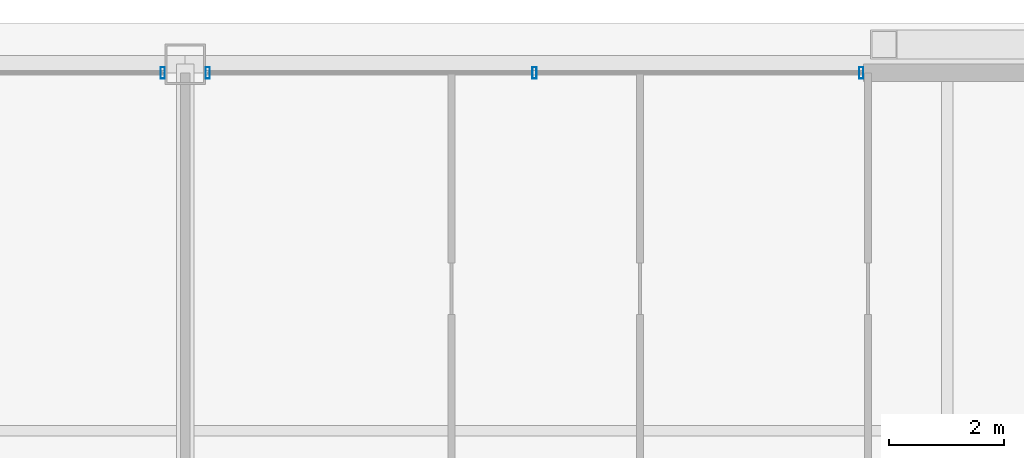
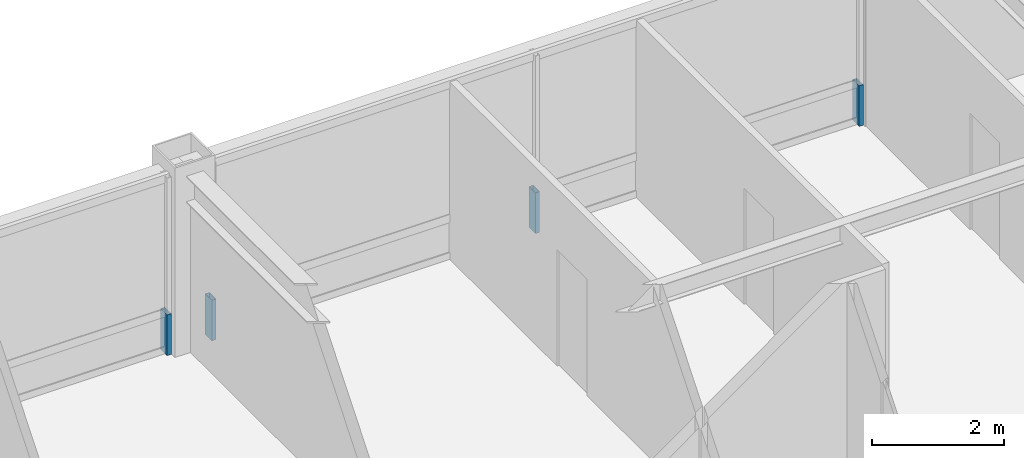
# One storey, part 27 of 35: 4 members, 2 elements without a shape of their own.
"""IFC4 building model written with IfcOpenShell, lengths in metres."""

from ifc_helpers import new_model, si_unit, direction, frame, origin, origin_2d, place, context, subcontext, project, spatial, hollow_rectangle, extrude, source, transform, mapped, material, layer, layer_set, material_profile, profile_set, type_object, element, aggregate, save


model = new_model("IFC4")

# Units and contexts
model_context = context("Model", 3, precision=1e-05, world=origin(), true_north=direction((0.0, 1.0)))
body_context = subcontext(model_context, "Body", "Model", "MODEL_VIEW")
ifc_project = project(units=[si_unit("LENGTHUNIT", "METRE"), si_unit("AREAUNIT", "SQUARE_METRE"), si_unit("VOLUMEUNIT", "CUBIC_METRE"), si_unit("PLANEANGLEUNIT", "RADIAN"), si_unit("MASSUNIT", "GRAM", prefix="KILO"), si_unit("THERMODYNAMICTEMPERATUREUNIT", "KELVIN"), si_unit("POWERUNIT", "WATT")], contexts=[model_context])

# Site, building, storey
site_placement = place(None, origin())
site = spatial("IfcSite", under=ifc_project, at=site_placement, CompositionType="ELEMENT")
building_placement = place(site_placement, origin())
building = spatial("IfcBuilding", under=site, at=building_placement, Name="Yuzanri Waterfront Tower", CompositionType="ELEMENT")
storey_placement = place(building_placement, frame((0.0, 0.0, 299.60009765625)))
storey = spatial("IfcBuildingStorey", under=building, at=storey_placement, Name="L80", CompositionType="ELEMENT", Elevation=299.60009765625)

# Curtain wall, member
ifc_material_1 = material(Name="Anodized Architectural Bronze", Category="metal")
ifc_layer = layer(ifc_material_1, 0.159912109375)
ifc_layer_set = layer_set([ifc_layer], Name="Anodized Architectural Bronze")
curtain_wall_type = type_object("IfcCurtainWallType", Name="Anodized Bronze High-Rise Penthouse High-Wind Unitized Curtain Wall 6900", PredefinedType="NOTDEFINED", material=ifc_layer_set)
curtain_wall_1_placement = place(storey_placement, origin())
curtain_wall_1 = element("IfcCurtainWall", 1, at=curtain_wall_1_placement, inside=storey, type_object=curtain_wall_type, Name="L80 Curtain Wall CW-L80-NL", PredefinedType="NOTDEFINED")
ifc_material_2 = material(Name="Anodized Architectural Bronze", Category="metal")
ifc_material_profile = material_profile(ifc_material_2, hollow_rectangle(XDim=0.074951171875, YDim=0.199951171875, WallThickness=0.00390625, at=origin_2d()), Name="CWM 75x200")
ifc_profile_set = profile_set([ifc_material_profile], Name="Anodized Architectural Bronze")
member_type = type_object("IfcMemberType", Name="Anodized Bronze Primary Curtain-Wall Mullion 75x200", PredefinedType="MULLION", material=ifc_profile_set)
shared_shape = source(origin(), body_context, "Body", "SweptSolid", [
    extrude(hollow_rectangle(XDim=0.074951171875, YDim=0.199951171875, WallThickness=0.00390625, at=origin_2d()), origin(), (0.0, 0.0, 1.0), 0.751953125),
])
member_1_placement = place(storey_placement, frame((36.610107421875, 44.75, 0.0), z_axis=(0.0, 0.0, 1.0), x_axis=(1.0, 0.0, 0.0)))
member_1 = element("IfcMember", 2, at=member_1_placement, type_object=member_type, Name="CW-L80-NL Lower Mullion 02", PredefinedType="MULLION", context=body_context, shape_type="MappedRepresentation", body=[
    mapped(shared_shape, transform((0.0, 0.0, 0.0), scale=1.0)),
])
aggregate(curtain_wall_1, [member_1])

# Curtain wall, members
curtain_wall_2_placement = place(storey_placement, origin())
curtain_wall_2 = element("IfcCurtainWall", 3, at=curtain_wall_2_placement, inside=storey, type_object=curtain_wall_type, Name="L80 Curtain Wall CW-L80-NR", PredefinedType="NOTDEFINED")
member_2_placement = place(storey_placement, frame((37.389892578125, 44.75, 0.0), z_axis=(0.0, 0.0, 1.0), x_axis=(1.0, 0.0, 0.0)))
member_2 = element("IfcMember", 4, at=member_2_placement, type_object=member_type, Name="CW-L80-NR Lower Mullion 00", PredefinedType="MULLION", context=body_context, shape_type="MappedRepresentation", body=[
    mapped(shared_shape, transform((0.0, 0.0, 0.0), scale=1.0)),
])
member_3_placement = place(storey_placement, frame((43.050048828125, 44.75, 0.0), z_axis=(0.0, 0.0, 1.0), x_axis=(1.0, 0.0, 0.0)))
member_3 = element("IfcMember", 5, at=member_3_placement, type_object=member_type, Name="CW-L80-NR Lower Mullion 01", PredefinedType="MULLION", context=body_context, shape_type="MappedRepresentation", body=[
    mapped(shared_shape, transform((0.0, 0.0, 0.0), scale=1.0)),
])
member_4_placement = place(storey_placement, frame((48.7099609375, 44.75, 0.0), z_axis=(0.0, 0.0, 1.0), x_axis=(1.0, 0.0, 0.0)))
member_4 = element("IfcMember", 6, at=member_4_placement, type_object=member_type, Name="CW-L80-NR Lower Mullion 02", PredefinedType="MULLION", context=body_context, shape_type="MappedRepresentation", body=[
    mapped(shared_shape, transform((0.0, 0.0, 0.0), scale=1.0)),
])
aggregate(curtain_wall_2, [member_2, member_3, member_4])

save(model, "model.ifc")
